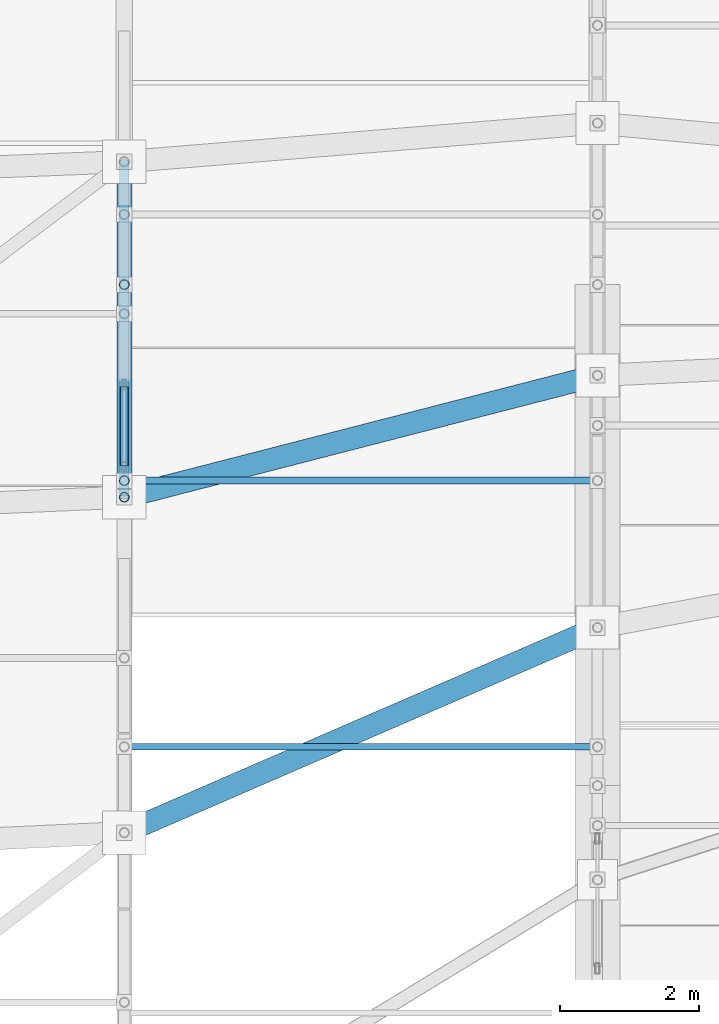
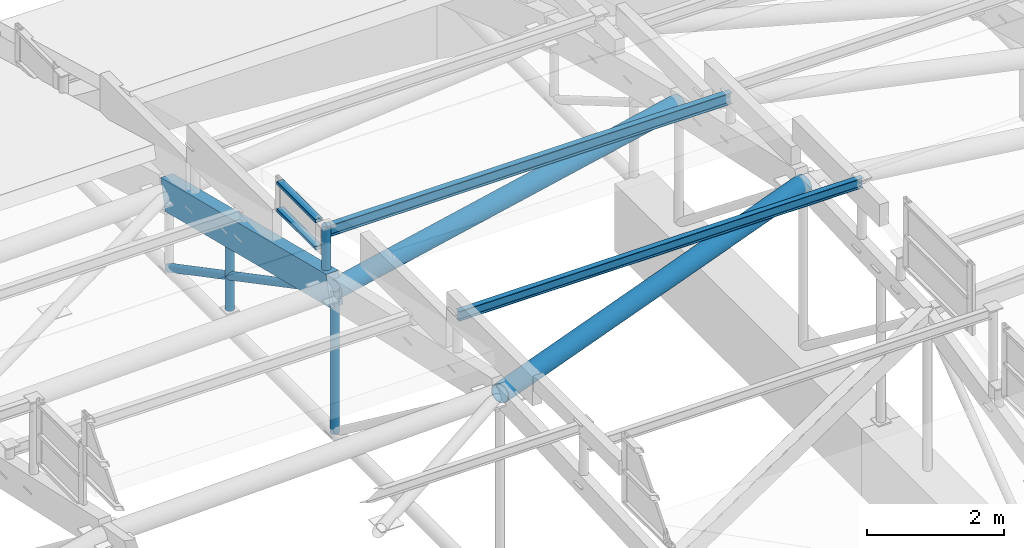
# One storey, part 96 of 188: 11 members, 1 element without a shape of its own.
"""IFC4 building model written with IfcOpenShell, lengths in metres."""

from ifc_helpers import new_model, si_unit, direction, frame, origin, origin_2d, place, context, subcontext, project, spatial, rectangle, hollow_rectangle, hollow_circle, i_section, extrude, material, layer, layer_set, material_profile, profile_set, type_object, element, aggregate, save


model = new_model("IFC4")

# Units and contexts
model_context = context("Model", 3, precision=1e-05, world=origin(), true_north=direction((0.0, 1.0)))
body_context = subcontext(model_context, "Body", "Model", "MODEL_VIEW")
ifc_project = project(units=[si_unit("LENGTHUNIT", "METRE"), si_unit("AREAUNIT", "SQUARE_METRE"), si_unit("VOLUMEUNIT", "CUBIC_METRE"), si_unit("PLANEANGLEUNIT", "RADIAN"), si_unit("MASSUNIT", "GRAM", prefix="KILO")], contexts=[model_context])

# Site, building, storey
site_placement = place(None, origin())
site = spatial("IfcSite", under=ifc_project, at=site_placement, CompositionType="ELEMENT")
building_placement = place(site_placement, origin())
building = spatial("IfcBuilding", under=site, at=building_placement, Name="Kisaragi Civic Commons", CompositionType="ELEMENT")
storey_placement = place(building_placement, frame((0.0, 0.0, 9.60009765625)))
storey = spatial("IfcBuildingStorey", under=building, at=storey_placement, Name="L02", CompositionType="ELEMENT", Elevation=9.60009765625)

# Curtain wall, members
ifc_material_1 = material(Name="Thermally broken anodized aluminium and low-E double glazing", Category="aluminium")
ifc_layer = layer(ifc_material_1, 0.14990234375, Name="Thermally broken anodized aluminium and low-E double glazing", Category="aluminium")
ifc_layer_set = layer_set([ifc_layer], Name="Thermally broken anodized aluminium and low-E double glazing")
curtain_wall_type = type_object("IfcCurtainWallType", Name="CW-03", PredefinedType="NOTDEFINED", material=ifc_layer_set)
curtain_wall_placement = place(storey_placement, origin())
curtain_wall = element("IfcCurtainWall", 1, at=curtain_wall_placement, inside=storey, type_object=curtain_wall_type, Name="L02 curtain wall CW-03 CW-CL-V2-207", PredefinedType="NOTDEFINED")
ifc_material_profile_1 = material_profile(ifc_material_1, hollow_rectangle(XDim=0.1201171875, YDim=0.06005859375, WallThickness=0.00390625, InnerFilletRadius=0.00390625, OuterFilletRadius=0.008056640625, at=origin_2d()), Name="CWT-60x120x4", Category="aluminium")
ifc_profile_set_1 = profile_set([ifc_material_profile_1], Name="Thermally broken anodized aluminium and low-E double glazing")
member_type_1 = type_object("IfcMemberType", Name="CWT-01", PredefinedType="USERDEFINED", material=ifc_profile_set_1)
member_1_placement = place(storey_placement, frame((27.199951171875, 109.0029296875, 2.649658203125), z_axis=(0.0, 1.0, 0.0), x_axis=(-1.0, 0.0, 0.0)))
member_1 = element("IfcMember", 2, at=member_1_placement, type_object=member_type_1, Name="CW-03 transom 1.1", ObjectType="TRANSOM", PredefinedType="USERDEFINED", context=body_context, shape_type="SweptSolid", body=[
    extrude(hollow_rectangle(XDim=0.1201171875, YDim=0.06005859375, WallThickness=0.00390625, InnerFilletRadius=0.00390625, OuterFilletRadius=0.008056640625, at=origin_2d()), origin(), (0.0, 0.0, 1.0), 1.128173828125),
])
member_2_placement = place(storey_placement, frame((27.199951171875, 109.0029296875, 3.135009765625), z_axis=(0.0, 1.0, 0.0), x_axis=(-1.0, 0.0, 0.0)))
member_2 = element("IfcMember", 3, at=member_2_placement, type_object=member_type_1, Name="CW-03 transom 1.2", ObjectType="TRANSOM", PredefinedType="USERDEFINED", context=body_context, shape_type="SweptSolid", body=[
    extrude(hollow_rectangle(XDim=0.1201171875, YDim=0.06005859375, WallThickness=0.00390625, InnerFilletRadius=0.00390625, OuterFilletRadius=0.008056640625, at=origin_2d()), origin(), (0.0, 0.0, 1.0), 1.128173828125),
])
aggregate(curtain_wall, [member_1, member_2])

# Members
ifc_material_2 = material(Name="Steel SN490 (SN490B)", Category="steel")
ifc_material_profile_2 = material_profile(ifc_material_2, hollow_circle(Radius=0.1591796875, WallThickness=0.01025390625, at=origin_2d()), Name="CHS-318.5x10.3", Category="steel")
ifc_profile_set_2 = profile_set([ifc_material_profile_2], Name="Steel SN490 (SN490B)")
member_type_2 = type_object("IfcMemberType", Name="GC-03", PredefinedType="CHORD", material=ifc_profile_set_2)
member_3_placement = place(storey_placement, frame((27.199951171875, 103.723388671875, 3.25927734375), z_axis=(0.915872848509, 0.396923173602, -0.060240514791), x_axis=(-0.39764534086, 0.917539199649, 0.0)))
element("IfcMember", 4, at=member_3_placement, inside=storey, type_object=member_type_2, Name="V2 wave gridshell chord GC-03 33", PredefinedType="CHORD", context=body_context, shape_type="SweptSolid", body=[
    extrude(hollow_circle(Radius=0.1591796875, WallThickness=0.01025390625, at=origin_2d()), origin(), (0.0, 0.0, 1.0), 7.424560546875),
])
member_4_placement = place(storey_placement, frame((27.199951171875, 108.544921875, 2.1865234375), z_axis=(0.968217525693, 0.249241362123, -0.020822256055), x_axis=(-0.249295411033, 0.968427487238, 0.0)))
element("IfcMember", 5, at=member_4_placement, inside=storey, type_object=member_type_2, Name="V2 wave gridshell chord GC-03 34", PredefinedType="CHORD", context=body_context, shape_type="SweptSolid", body=[
    extrude(hollow_circle(Radius=0.1591796875, WallThickness=0.01025390625, at=origin_2d()), origin(), (0.0, 0.0, 1.0), 7.023193359375),
])
ifc_material_3 = material(Name="Glulam E120-F330", Category="wood")
ifc_material_profile_3 = material_profile(ifc_material_3, rectangle(XDim=0.2099609375, YDim=0.5400390625, at=origin_2d()), Name="GL-210x540", Category="wood")
ifc_profile_set_3 = profile_set([ifc_material_profile_3], Name="Glulam E120-F330")
member_type_3 = type_object("IfcMemberType", Name="GR-04", PredefinedType="RAFTER", material=ifc_profile_set_3)
member_5_placement = place(storey_placement, frame((27.199951171875, 108.544921875, 2.1865234375), z_axis=(0.0, 0.970275288639, -0.242003851739), x_axis=(-1.0, 0.0, 0.0)))
element("IfcMember", 6, at=member_5_placement, inside=storey, type_object=member_type_3, Name="V2 glulam arch rib GR-04 39", PredefinedType="RAFTER", context=body_context, shape_type="SweptSolid", body=[
    extrude(rectangle(XDim=0.2099609375, YDim=0.5400390625, at=origin_2d()), origin(), (0.0, 0.0, 1.0), 4.969482421875),
])
ifc_material_4 = material(Name="Steel SN400 (SN400B)", Category="steel")
ifc_material_profile_4 = material_profile(ifc_material_4, i_section(OverallWidth=0.10009765625, OverallDepth=0.199951171875, WebThickness=0.005615234375, FlangeThickness=0.008056640625, FilletRadius=0.008056640625, at=origin_2d()), Name="H-200x100x5.5x8", Category="steel")
ifc_profile_set_4 = profile_set([ifc_material_profile_4], Name="Steel SN400 (SN400B)")
member_type_4 = type_object("IfcMemberType", Name="PR-02", PredefinedType="PURLIN", material=ifc_profile_set_4)
member_6_placement = place(storey_placement, frame((27.199951171875, 108.782958984375, 3.08984375), z_axis=(1.0, 0.0, 0.0), x_axis=(0.0, 1.0, 0.0)))
element("IfcMember", 7, at=member_6_placement, inside=storey, type_object=member_type_4, Name="V2 wave vault steel purlin 38", PredefinedType="PURLIN", context=body_context, shape_type="SweptSolid", body=[
    extrude(i_section(OverallWidth=0.10009765625, OverallDepth=0.199951171875, WebThickness=0.005615234375, FlangeThickness=0.008056640625, FilletRadius=0.008056640625, at=origin_2d()), origin(), (0.0, 0.0, 1.0), 6.800048828125),
])
ifc_material_profile_5 = material_profile(ifc_material_4, i_section(OverallWidth=0.090087890625, OverallDepth=0.175048828125, WebThickness=0.0048828125, FlangeThickness=0.008056640625, FilletRadius=0.008056640625, at=origin_2d()), Name="H-175x90x5x8", Category="steel")
ifc_profile_set_5 = profile_set([ifc_material_profile_5], Name="Steel SN400 (SN400B)")
member_type_5 = type_object("IfcMemberType", Name="PR-03", PredefinedType="PURLIN", material=ifc_profile_set_5)
member_7_placement = place(storey_placement, frame((27.199951171875, 104.957763671875, 3.90185546875), z_axis=(1.0, 0.0, 0.0), x_axis=(0.0, 1.0, 0.0)))
element("IfcMember", 8, at=member_7_placement, inside=storey, type_object=member_type_5, Name="V2 wave vault steel purlin 37", PredefinedType="PURLIN", context=body_context, shape_type="SweptSolid", body=[
    extrude(i_section(OverallWidth=0.090087890625, OverallDepth=0.175048828125, WebThickness=0.0048828125, FlangeThickness=0.008056640625, FilletRadius=0.008056640625, at=origin_2d()), origin(), (0.0, 0.0, 1.0), 6.800048828125),
])
ifc_material_profile_6 = material_profile(ifc_material_2, hollow_circle(Radius=0.06982421875, WallThickness=0.006103515625, at=origin_2d()), Name="CHS-139.8x6.0", Category="steel")
ifc_profile_set_6 = profile_set([ifc_material_profile_6], Name="Steel SN490 (SN490B)")
member_type_6 = type_object("IfcMemberType", Name="ST-H1", PredefinedType="STRUT", material=ifc_profile_set_6)
member_8_placement = place(storey_placement, frame((27.199951171875, 108.544921875, -0.353271484375), z_axis=(0.0, 0.0, 1.0), x_axis=(1.0, 0.0, 0.0)))
element("IfcMember", 9, at=member_8_placement, inside=storey, type_object=member_type_6, Name="V2 arch tie hanger strut 64", PredefinedType="STRUT", context=body_context, shape_type="SweptSolid", body=[
    extrude(hollow_circle(Radius=0.06982421875, WallThickness=0.006103515625, at=origin_2d()), origin(), (0.0, 0.0, 1.0), 2.539794921875),
])
member_9_placement = place(storey_placement, frame((27.199951171875, 113.36669921875, -0.353271484375), z_axis=(0.0, -0.884765608166, 0.466036284646), x_axis=(1.0, 0.0, 0.0)))
element("IfcMember", 10, at=member_9_placement, inside=storey, type_object=member_type_6, Name="V2 tied arch truss diagonal web strut 71", PredefinedType="STRUT", context=body_context, shape_type="SweptSolid", body=[
    extrude(hollow_circle(Radius=0.06982421875, WallThickness=0.006103515625, at=origin_2d()), origin(), (0.0, 0.0, 1.0), 5.44970703125),
])
member_10_placement = place(storey_placement, frame((27.199951171875, 111.60009765625, -0.02001953125), z_axis=(0.0, 0.0, 1.0), x_axis=(1.0, 0.0, 0.0)))
element("IfcMember", 11, at=member_10_placement, inside=storey, type_object=member_type_6, Name="V2 interior column arch support post (27.2,111.6)", PredefinedType="STRUT", context=body_context, shape_type="SweptSolid", body=[
    extrude(hollow_circle(Radius=0.06982421875, WallThickness=0.006103515625, at=origin_2d()), origin(), (0.0, 0.0, 1.0), 1.444580078125),
])
member_11_placement = place(storey_placement, frame((27.199951171875, 108.782958984375, 2.127197265625), z_axis=(0.0, 0.0, 1.0), x_axis=(1.0, 0.0, 0.0)))
element("IfcMember", 12, at=member_11_placement, inside=storey, type_object=member_type_6, Name="V2 clerestory monitor horizontal tie strut 5.4.6", PredefinedType="STRUT", context=body_context, shape_type="SweptSolid", body=[
    extrude(hollow_circle(Radius=0.06982421875, WallThickness=0.006103515625, at=origin_2d()), origin(), (0.0, 0.0, 1.0), 1.062744140625),
])

save(model, "model.ifc")
